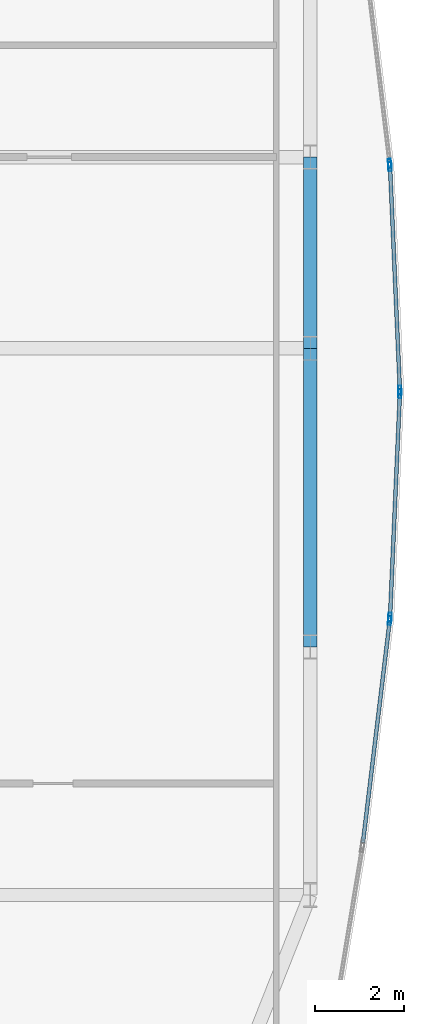
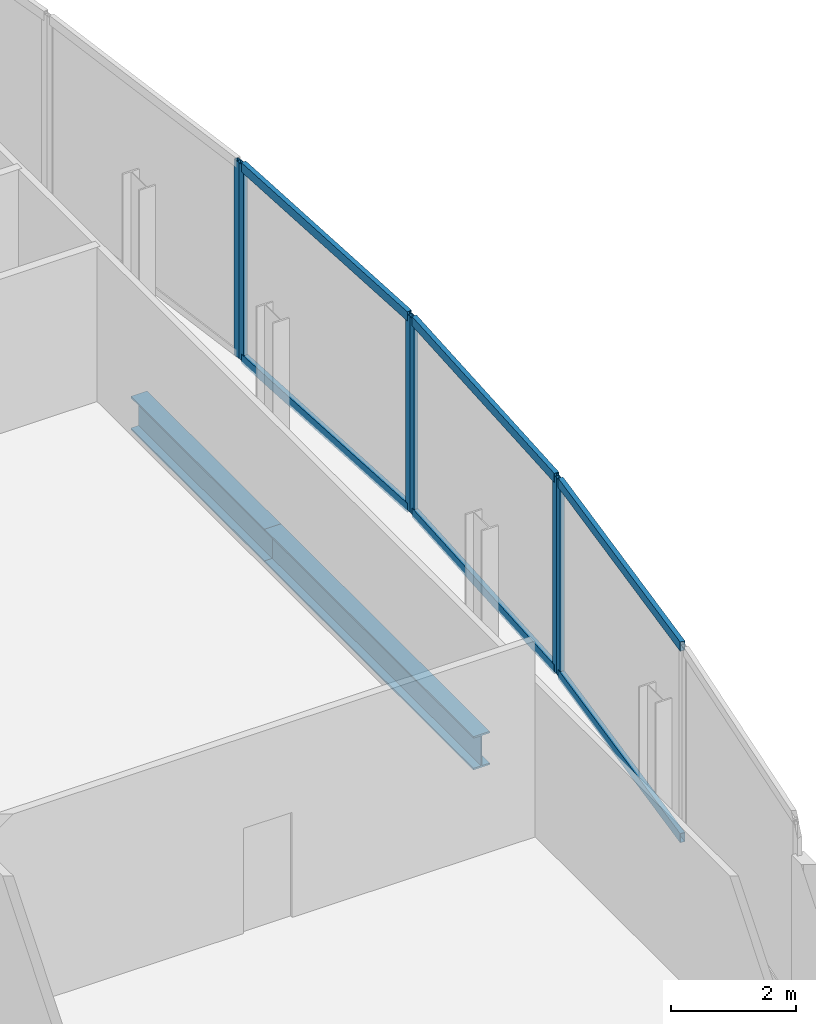
# One storey, part 22 of 32: 12 members, 2 beams, 4 elements without a shape of their own.
"""IFC4 building model written with IfcOpenShell, lengths in metres."""

from ifc_helpers import new_model, si_unit, direction, frame, origin, origin_2d, place, context, subcontext, project, spatial, hollow_rectangle, i_section, extrude, material, material_profile, profile_set, type_object, element, aggregate, save


model = new_model("IFC4")

# Units and contexts
model_context = context("Model", 3, precision=1e-05, world=origin(), true_north=direction((0.0, 1.0)))
body_context = subcontext(model_context, "Body", "Model", "MODEL_VIEW")
ifc_project = project(units=[si_unit("LENGTHUNIT", "METRE"), si_unit("AREAUNIT", "SQUARE_METRE"), si_unit("VOLUMEUNIT", "CUBIC_METRE"), si_unit("PLANEANGLEUNIT", "RADIAN"), si_unit("MASSUNIT", "GRAM", prefix="KILO")], contexts=[model_context])

# Site, building, storey
site_placement = place(None, origin())
site = spatial("IfcSite", under=ifc_project, at=site_placement, CompositionType="ELEMENT")
building_placement = place(site_placement, origin())
building = spatial("IfcBuilding", under=site, at=building_placement, Name="Khoronbel Lancet Exchange", CompositionType="ELEMENT")
storey_placement = place(building_placement, frame((0.0, 0.0, 65.800048828125)))
storey = spatial("IfcBuildingStorey", under=building, at=storey_placement, Name="L15", CompositionType="ELEMENT", Elevation=65.800048828125)

# Beams
ifc_material_1 = material(Name="Steel S355", Category="steel")
ifc_material_profile_1 = material_profile(ifc_material_1, i_section(OverallWidth=0.300048828125, OverallDepth=0.64990234375, WebThickness=0.01611328125, FlangeThickness=0.031005859375, at=origin_2d()), Name="HEB 650")
ifc_profile_set_1 = profile_set([ifc_material_profile_1], Name="Steel S355")
beam_type = type_object("IfcBeamType", Name="BM-BSP1", PredefinedType="SPANDREL", material=ifc_profile_set_1)
beam_1_placement = place(storey_placement, frame((71.6298828125, 24.75, -0.505126953125), z_axis=(0.0, 1.0, 0.0), x_axis=(-1.0, 0.0, 0.0)))
element("IfcBeam", 1, at=beam_1_placement, inside=storey, type_object=beam_type, Name="Level L15 perimeter spandrel beam SP12", PredefinedType="SPANDREL", context=body_context, shape_type="SweptSolid", body=[
    extrude(i_section(OverallWidth=0.300048828125, OverallDepth=0.64990234375, WebThickness=0.01611328125, FlangeThickness=0.031005859375, at=origin_2d()), origin(), (0.0, 0.0, 1.0), 6.675048828125),
])
beam_2_placement = place(storey_placement, frame((71.6298828125, 31.425048828125, -0.505126953125), z_axis=(0.0, 1.0, 0.0), x_axis=(-1.0, 0.0, 0.0)))
element("IfcBeam", 2, at=beam_2_placement, inside=storey, type_object=beam_type, Name="Level L15 perimeter spandrel beam SP13", PredefinedType="SPANDREL", context=body_context, shape_type="SweptSolid", body=[
    extrude(i_section(OverallWidth=0.300048828125, OverallDepth=0.64990234375, WebThickness=0.01611328125, FlangeThickness=0.031005859375, at=origin_2d()), origin(), (0.0, 0.0, 1.0), 4.27490234375),
])

# Curtain wall, member
ifc_material_2 = material(Name="Low-E Solar Control Insulating Glass", Category="glass")
curtain_wall_type = type_object("IfcCurtainWallType", Name="CW-4", PredefinedType="NOTDEFINED", material=ifc_material_2)
curtain_wall_1_placement = place(storey_placement, origin())
curtain_wall_1 = element("IfcCurtainWall", 3, at=curtain_wall_1_placement, inside=storey, type_object=curtain_wall_type, Name="Unitised curtain wall CW-L15-E18", PredefinedType="NOTDEFINED")
ifc_material_3 = material(Name="Bronze-Anodised Aluminium 6063-T6", Category="aluminium")
ifc_material_profile_2 = material_profile(ifc_material_3, hollow_rectangle(XDim=0.074951171875, YDim=0.199951171875, WallThickness=0.0048828125, at=origin_2d()), Name="ALU MULLION 75x200")
ifc_profile_set_2 = profile_set([ifc_material_profile_2], Name="Bronze-Anodised Aluminium 6063-T6")
member_type_1 = type_object("IfcMemberType", Name="MEM-CWM2", PredefinedType="MULLION", material=ifc_profile_set_2)
member_1_placement = place(storey_placement, frame((73.4072265625, 35.563232421875, 0.0), z_axis=(0.0, 0.0, 1.0), x_axis=(0.992797337114, 0.119805873895, 0.0)))
member_1 = element("IfcMember", 4, at=member_1_placement, type_object=member_type_1, Name="CW4 mullion 2", PredefinedType="MULLION", context=body_context, shape_type="SweptSolid", body=[
    extrude(hollow_rectangle(XDim=0.074951171875, YDim=0.199951171875, WallThickness=0.0048828125, at=origin_2d()), origin(), (0.0, 0.0, 1.0), 3.820068359375),
])
aggregate(curtain_wall_1, [member_1])

# Curtain wall, members
curtain_wall_2_placement = place(storey_placement, origin())
curtain_wall_2 = element("IfcCurtainWall", 5, at=curtain_wall_2_placement, inside=storey, type_object=curtain_wall_type, Name="Unitised curtain wall CW-L15-E19", PredefinedType="NOTDEFINED")
member_2_placement = place(storey_placement, frame((73.413330078125, 35.488525390625, 0.0), z_axis=(0.0, 0.0, 1.0), x_axis=(0.999025952335, 0.044126483681, 0.0)))
member_2 = element("IfcMember", 6, at=member_2_placement, type_object=member_type_1, Name="CW4 mullion 1", PredefinedType="MULLION", context=body_context, shape_type="SweptSolid", body=[
    extrude(hollow_rectangle(XDim=0.074951171875, YDim=0.199951171875, WallThickness=0.0048828125, at=origin_2d()), origin(), (0.0, 0.0, 1.0), 3.820068359375),
])
member_3_placement = place(storey_placement, frame((73.63427734375, 30.487548828125, 0.0), z_axis=(0.0, 0.0, 1.0), x_axis=(0.999025952335, 0.044126483681, 0.0)))
member_3 = element("IfcMember", 7, at=member_3_placement, type_object=member_type_1, Name="CW4 mullion 2", PredefinedType="MULLION", context=body_context, shape_type="SweptSolid", body=[
    extrude(hollow_rectangle(XDim=0.074951171875, YDim=0.199951171875, WallThickness=0.0048828125, at=origin_2d()), origin(), (0.0, 0.0, 1.0), 3.820068359375),
])

curtain_wall_3_placement = place(storey_placement, origin())
curtain_wall_3 = element("IfcCurtainWall", 8, at=curtain_wall_3_placement, inside=storey, type_object=curtain_wall_type, Name="Unitised curtain wall CW-L15-E20", PredefinedType="NOTDEFINED")
member_4_placement = place(storey_placement, frame((73.63427734375, 30.41259765625, 0.0), z_axis=(0.0, 0.0, 1.0), x_axis=(0.999025952335, -0.044126483681, 0.0)))
member_4 = element("IfcMember", 9, at=member_4_placement, type_object=member_type_1, Name="CW4 mullion 1", PredefinedType="MULLION", context=body_context, shape_type="SweptSolid", body=[
    extrude(hollow_rectangle(XDim=0.074951171875, YDim=0.199951171875, WallThickness=0.0048828125, at=origin_2d()), origin(), (0.0, 0.0, 1.0), 3.820068359375),
])
member_5_placement = place(storey_placement, frame((73.413330078125, 25.41162109375, 0.0), z_axis=(0.0, 0.0, 1.0), x_axis=(0.999025952335, -0.044126483681, 0.0)))
member_5 = element("IfcMember", 10, at=member_5_placement, type_object=member_type_1, Name="CW4 mullion 2", PredefinedType="MULLION", context=body_context, shape_type="SweptSolid", body=[
    extrude(hollow_rectangle(XDim=0.074951171875, YDim=0.199951171875, WallThickness=0.0048828125, at=origin_2d()), origin(), (0.0, 0.0, 1.0), 3.820068359375),
])

# Curtain wall, member
curtain_wall_4_placement = place(storey_placement, origin())
curtain_wall_4 = element("IfcCurtainWall", 11, at=curtain_wall_4_placement, inside=storey, type_object=curtain_wall_type, Name="Unitised curtain wall CW-L15-E21", PredefinedType="NOTDEFINED")
member_6_placement = place(storey_placement, frame((73.4072265625, 25.3369140625, 0.0), z_axis=(0.0, 0.0, 1.0), x_axis=(0.992797337114, -0.119805873895, 0.0)))
member_6 = element("IfcMember", 12, at=member_6_placement, type_object=member_type_1, Name="CW4 mullion 1", PredefinedType="MULLION", context=body_context, shape_type="SweptSolid", body=[
    extrude(hollow_rectangle(XDim=0.074951171875, YDim=0.199951171875, WallThickness=0.0048828125, at=origin_2d()), origin(), (0.0, 0.0, 1.0), 3.820068359375),
])

# Member
ifc_material_profile_3 = material_profile(ifc_material_3, hollow_rectangle(XDim=0.0849609375, YDim=0.179931640625, WallThickness=0.0048828125, at=origin_2d()), Name="ALU TRANSOM 85x180")
ifc_profile_set_3 = profile_set([ifc_material_profile_3], Name="Bronze-Anodised Aluminium 6063-T6")
member_type_2 = type_object("IfcMemberType", Name="MEM-CWT1", PredefinedType="USERDEFINED", material=ifc_profile_set_3)
member_7_placement = place(storey_placement, frame((73.4150390625, 35.450927734375, 0.04248046875), z_axis=(0.044116198061, -0.999026406592, 0.0), x_axis=(0.999026406592, 0.044116198061, 0.0)))
member_7 = element("IfcMember", 13, at=member_7_placement, type_object=member_type_2, Name="CW4 transom 1.1", ObjectType="TRANSOM", PredefinedType="USERDEFINED", context=body_context, shape_type="SweptSolid", body=[
    extrude(hollow_rectangle(XDim=0.0849609375, YDim=0.179931640625, WallThickness=0.0048828125, at=origin_2d()), origin(), (0.0, 0.0, 1.0), 4.930908203125),
])

member_8_placement = place(storey_placement, frame((73.4150390625, 35.450927734375, 3.77734375), z_axis=(0.044116198061, -0.999026406592, 0.0), x_axis=(0.999026406592, 0.044116198061, 0.0)))
member_8 = element("IfcMember", 14, at=member_8_placement, type_object=member_type_2, Name="CW4 transom 1.2", ObjectType="TRANSOM", PredefinedType="USERDEFINED", context=body_context, shape_type="SweptSolid", body=[
    extrude(hollow_rectangle(XDim=0.0849609375, YDim=0.179931640625, WallThickness=0.0048828125, at=origin_2d()), origin(), (0.0, 0.0, 1.0), 4.930908203125),
])

aggregate(curtain_wall_2, [member_2, member_3, member_7, member_8])

member_9_placement = place(storey_placement, frame((73.632568359375, 30.375, 0.04248046875), z_axis=(-0.044116198061, -0.999026406592, 0.0), x_axis=(0.999026406592, -0.044116198061, 0.0)))
member_9 = element("IfcMember", 15, at=member_9_placement, type_object=member_type_2, Name="CW4 transom 1.1", ObjectType="TRANSOM", PredefinedType="USERDEFINED", context=body_context, shape_type="SweptSolid", body=[
    extrude(hollow_rectangle(XDim=0.0849609375, YDim=0.179931640625, WallThickness=0.0048828125, at=origin_2d()), origin(), (0.0, 0.0, 1.0), 4.930908203125),
])

member_10_placement = place(storey_placement, frame((73.632568359375, 30.375, 3.77734375), z_axis=(-0.044116198061, -0.999026406592, 0.0), x_axis=(0.999026406592, -0.044116198061, 0.0)))
member_10 = element("IfcMember", 16, at=member_10_placement, type_object=member_type_2, Name="CW4 transom 1.2", ObjectType="TRANSOM", PredefinedType="USERDEFINED", context=body_context, shape_type="SweptSolid", body=[
    extrude(hollow_rectangle(XDim=0.0849609375, YDim=0.179931640625, WallThickness=0.0048828125, at=origin_2d()), origin(), (0.0, 0.0, 1.0), 4.930908203125),
])

aggregate(curtain_wall_3, [member_4, member_5, member_9, member_10])

member_11_placement = place(storey_placement, frame((73.40283203125, 25.299560546875, 0.04248046875), z_axis=(-0.119833530276, -0.992793999288, 0.0), x_axis=(0.992793999288, -0.119833530276, 0.0)))
member_11 = element("IfcMember", 17, at=member_11_placement, type_object=member_type_2, Name="CW4 transom 1.1", ObjectType="TRANSOM", PredefinedType="USERDEFINED", context=body_context, shape_type="SweptSolid", body=[
    extrude(hollow_rectangle(XDim=0.0849609375, YDim=0.179931640625, WallThickness=0.0048828125, at=origin_2d()), origin(), (0.0, 0.0, 1.0), 4.965087890625),
])

member_12_placement = place(storey_placement, frame((73.40283203125, 25.299560546875, 3.77734375), z_axis=(-0.119833530276, -0.992793999288, 0.0), x_axis=(0.992793999288, -0.119833530276, 0.0)))
member_12 = element("IfcMember", 18, at=member_12_placement, type_object=member_type_2, Name="CW4 transom 1.2", ObjectType="TRANSOM", PredefinedType="USERDEFINED", context=body_context, shape_type="SweptSolid", body=[
    extrude(hollow_rectangle(XDim=0.0849609375, YDim=0.179931640625, WallThickness=0.0048828125, at=origin_2d()), origin(), (0.0, 0.0, 1.0), 4.965087890625),
])

aggregate(curtain_wall_4, [member_6, member_11, member_12])

save(model, "model.ifc")
